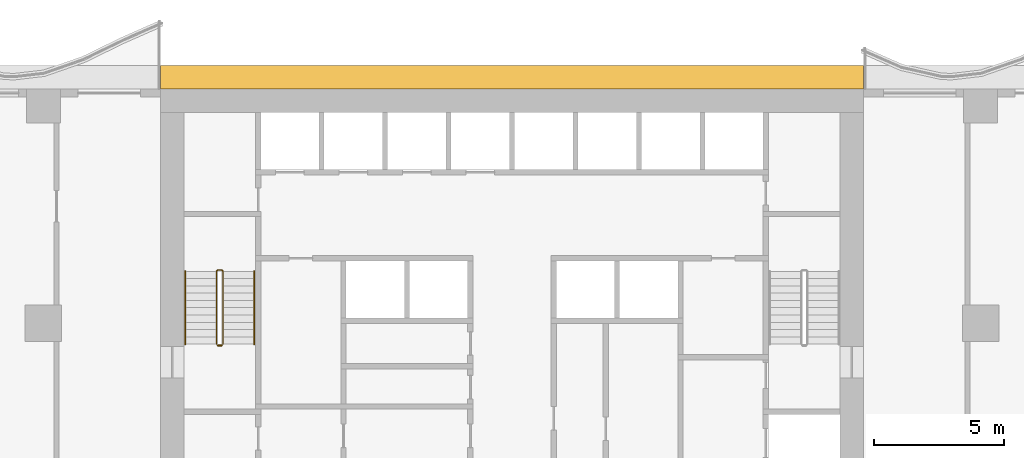
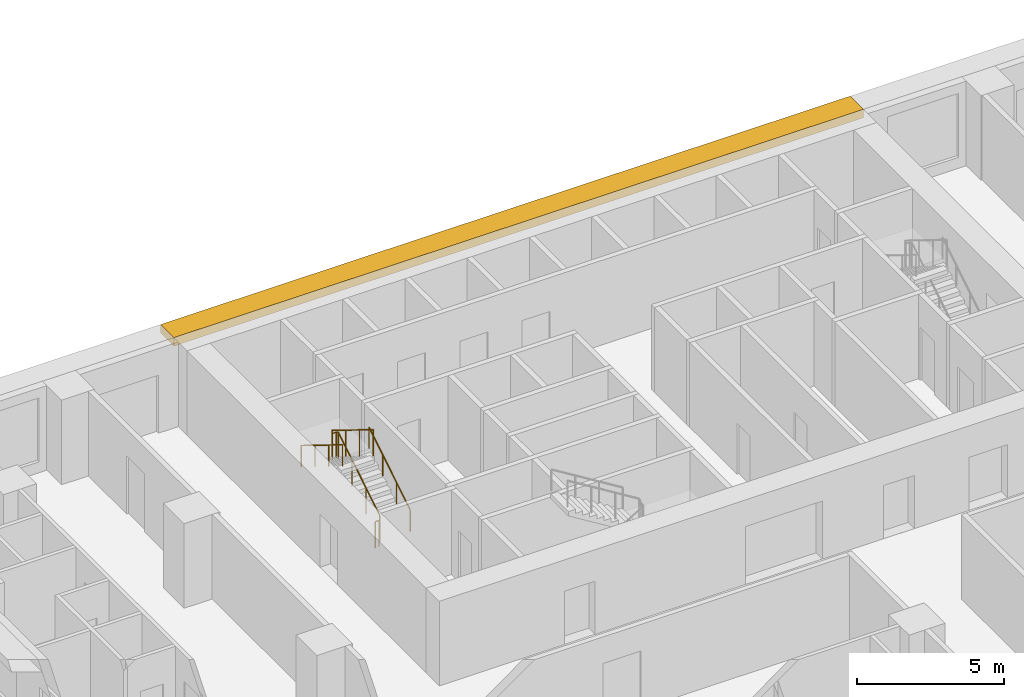
# One storey, part 12 of 14: 4 railings, 1 shading device.
"""IFC4 building model written with IfcOpenShell, lengths in metres."""

from ifc_helpers import new_model, si_unit, direction, frame, origin, origin_2d, place, context, subcontext, project, spatial, polyline, circle, outline, extrude, material, layer, layer_set, type_object, element, save


model = new_model("IFC4")

# Units and contexts
model_context = context("Model", 3, precision=1e-05, world=origin(), true_north=direction((0.0, 1.0)))
body_context = subcontext(model_context, "Body", "Model", "MODEL_VIEW")
ifc_project = project(units=[si_unit("LENGTHUNIT", "METRE"), si_unit("AREAUNIT", "SQUARE_METRE"), si_unit("VOLUMEUNIT", "CUBIC_METRE"), si_unit("PLANEANGLEUNIT", "RADIAN"), si_unit("MASSUNIT", "GRAM", prefix="KILO")], contexts=[model_context])

# Site, building, storey
site_placement = place(None, origin())
site = spatial("IfcSite", under=ifc_project, at=site_placement, CompositionType="ELEMENT")
building_placement = place(site_placement, origin())
building = spatial("IfcBuilding", under=site, at=building_placement, Name="Orbiselva Terraces", CompositionType="ELEMENT")
storey_placement = place(building_placement, frame((0.0, 0.0, 88.4)))
storey = spatial("IfcBuildingStorey", under=building, at=storey_placement, Name="L22", CompositionType="ELEMENT", Elevation=88.4)

# Railings
ifc_material_1 = material(Name="Stainless steel", Category="steel")
railing_type_1 = type_object("IfcRailingType", Name="CORE-GUARD-1100", PredefinedType="GUARDRAIL", material=ifc_material_1)
railing_1_placement = place(storey_placement, frame((-11.1, 12.7, 0.172727)))
element("IfcRailing", 1, at=railing_1_placement, inside=storey, type_object=railing_type_1, Name="L22 S1 stair guard 1", PredefinedType="GUARDRAIL", context=body_context, shape_type="SweptSolid", body=[
    extrude(circle(Radius=0.024, at=origin_2d()), frame((0.0, 0.0, 1.081), z_axis=(0.0, 0.851088519012, 0.52502222125), x_axis=(-1.0, 0.0, 0.0)), (0.0, 0.0, 1.0), 3.289905),
    extrude(circle(Radius=0.024, at=origin_2d()), frame((0.0, 2.8, 2.808273), z_axis=(-0.707106781187, 0.707106781187, 0.0), x_axis=(-0.707106781187, -0.707106781187, 0.0)), (0.0, 0.0, 1.0), 0.070711),
    extrude(circle(Radius=0.024, at=origin_2d()), frame((-0.05, 2.85, 2.808273), z_axis=(-1.0, 0.0, 0.0), x_axis=(0.0, -1.0, 0.0)), (0.0, 0.0, 1.0), 0.15),
    extrude(circle(Radius=0.024, at=origin_2d()), frame((-0.2, 2.85, 2.808273), z_axis=(-0.267894925557, -0.267894925557, 0.925453736133), x_axis=(0.707106781187, -0.707106781187, 0.0)), (0.0, 0.0, 1.0), 0.18664),
    extrude(circle(Radius=0.024, at=origin_2d()), frame((-0.25, 2.8, 2.981), z_axis=(0.0, -0.851088519012, 0.52502222125), x_axis=(1.0, 0.0, 0.0)), (0.0, 0.0, 1.0), 3.289905),
    extrude(circle(Radius=0.021, at=origin_2d()), origin(), (0.0, 0.0, 1.0), 1.057),
    extrude(circle(Radius=0.021, at=origin_2d()), frame((0.0, 0.933333, 0.575758)), (0.0, 0.0, 1.0), 1.057),
    extrude(circle(Radius=0.021, at=origin_2d()), frame((0.0, 1.866667, 1.151515)), (0.0, 0.0, 1.0), 1.057),
    extrude(circle(Radius=0.021, at=origin_2d()), frame((0.0, 2.8, 1.727273)), (0.0, 0.0, 1.0), 1.057),
    extrude(circle(Radius=0.021, at=origin_2d()), frame((-0.05, 2.85, 1.727273)), (0.0, 0.0, 1.0), 1.057),
    extrude(circle(Radius=0.021, at=origin_2d()), frame((-0.2, 2.85, 1.727273)), (0.0, 0.0, 1.0), 1.057),
    extrude(circle(Radius=0.021, at=origin_2d()), frame((-0.25, 2.8, 1.9)), (0.0, 0.0, 1.0), 1.057),
    extrude(circle(Radius=0.021, at=origin_2d()), frame((-0.25, 1.866667, 2.475758)), (0.0, 0.0, 1.0), 1.057),
    extrude(circle(Radius=0.021, at=origin_2d()), frame((-0.25, 0.933333, 3.051515)), (0.0, 0.0, 1.0), 1.057),
    extrude(circle(Radius=0.021, at=origin_2d()), frame((-0.25, 0.0, 3.627273)), (0.0, 0.0, 1.0), 1.057),
])
railing_2_placement = place(storey_placement, frame((-11.15, 12.65, 0.0)))
element("IfcRailing", 2, at=railing_2_placement, inside=storey, type_object=railing_type_1, Name="L22 S1 stair guard 2", PredefinedType="GUARDRAIL", context=body_context, shape_type="SweptSolid", body=[
    extrude(circle(Radius=0.024, at=origin_2d()), frame((0.0, 0.0, 1.081), z_axis=(-1.0, 0.0, 0.0), x_axis=(0.0, -1.0, 0.0)), (0.0, 0.0, 1.0), 0.15),
    extrude(circle(Radius=0.021, at=origin_2d()), origin(), (0.0, 0.0, 1.0), 1.057),
    extrude(circle(Radius=0.021, at=origin_2d()), frame((-0.15, 0.0, 0.0)), (0.0, 0.0, 1.0), 1.057),
])
railing_type_2 = type_object("IfcRailingType", Name="CORE-HANDRAIL-900", PredefinedType="HANDRAIL", material=ifc_material_1)
railing_3_placement = place(storey_placement, frame((-9.9, 12.7, 0.172727)))
element("IfcRailing", 3, at=railing_3_placement, inside=storey, type_object=railing_type_2, Name="L22 S1 stair handrail 1", PredefinedType="HANDRAIL", context=body_context, shape_type="SweptSolid", body=[
    extrude(circle(Radius=0.024, at=origin_2d()), frame((0.0, 0.0, 0.876), z_axis=(0.0, 0.851088519012, 0.52502222125), x_axis=(-1.0, 0.0, 0.0)), (0.0, 0.0, 1.0), 3.289905),
    extrude(circle(Radius=0.021, at=origin_2d()), origin(), (0.0, 0.0, 1.0), 0.852),
    extrude(circle(Radius=0.021, at=origin_2d()), frame((0.0, 0.933333, 0.575758)), (0.0, 0.0, 1.0), 0.852),
    extrude(circle(Radius=0.021, at=origin_2d()), frame((0.0, 1.866667, 1.151515)), (0.0, 0.0, 1.0), 0.852),
    extrude(circle(Radius=0.021, at=origin_2d()), frame((0.0, 2.8, 1.727273)), (0.0, 0.0, 1.0), 0.852),
])
railing_4_placement = place(storey_placement, frame((-12.55, 15.5, 2.072727)))
element("IfcRailing", 4, at=railing_4_placement, inside=storey, type_object=railing_type_2, Name="L22 S1 stair handrail 2", PredefinedType="HANDRAIL", context=body_context, shape_type="SweptSolid", body=[
    extrude(circle(Radius=0.024, at=origin_2d()), frame((0.0, 0.0, 0.876), z_axis=(0.0, -0.851088519012, 0.52502222125), x_axis=(1.0, 0.0, 0.0)), (0.0, 0.0, 1.0), 3.289905),
    extrude(circle(Radius=0.021, at=origin_2d()), origin(), (0.0, 0.0, 1.0), 0.852),
    extrude(circle(Radius=0.021, at=origin_2d()), frame((0.0, -0.933333, 0.575758)), (0.0, 0.0, 1.0), 0.852),
    extrude(circle(Radius=0.021, at=origin_2d()), frame((0.0, -1.866667, 1.151515)), (0.0, 0.0, 1.0), 0.852),
    extrude(circle(Radius=0.021, at=origin_2d()), frame((0.0, -2.8, 1.727273)), (0.0, 0.0, 1.0), 0.852),
])

# Shading device
ifc_material_2 = material(Name="Terracotta baguette sunshade", Category="masonry")
ifc_layer = layer(ifc_material_2, 0.35)
ifc_layer_set = layer_set([ifc_layer], Name="Terracotta baguette sunshade")
shading_device_type = type_object("IfcShadingDeviceType", Name="ENV-SUNSHADE-900x350", PredefinedType="USERDEFINED", material=ifc_layer_set)
shading_device_placement = place(storey_placement, frame((0.0, 0.0, 3.15)))
element("IfcShadingDevice", 5, at=shading_device_placement, inside=storey, type_object=shading_device_type, Name="Sunshade band L22 CORE NORTH", ObjectType="SUNSHADE", PredefinedType="USERDEFINED", context=body_context, shape_type="SweptSolid", body=[
    extrude(outline(polyline([(13.5, 23.4), (-13.5, 23.4), (-13.5, 22.5), (13.5, 22.5), (13.5, 23.4)])), origin(), (0.0, 0.0, 1.0), 0.35),
])

save(model, "model.ifc")
